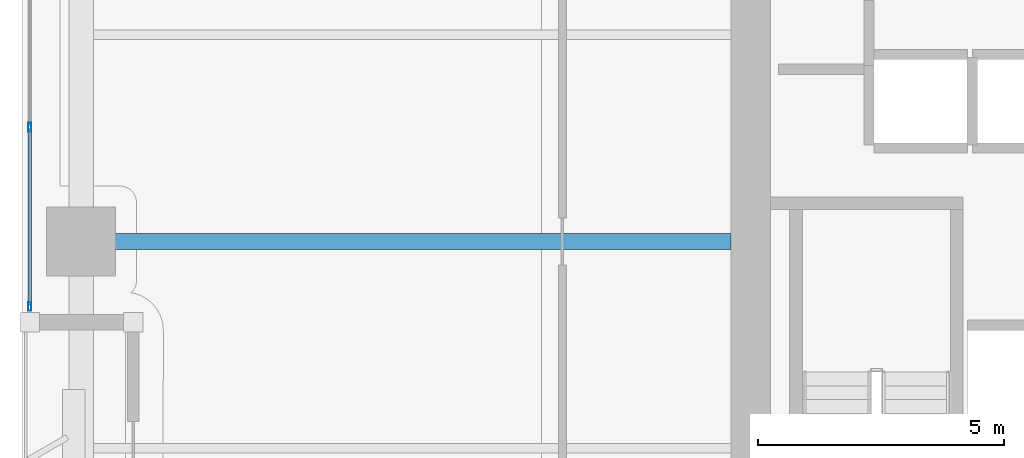
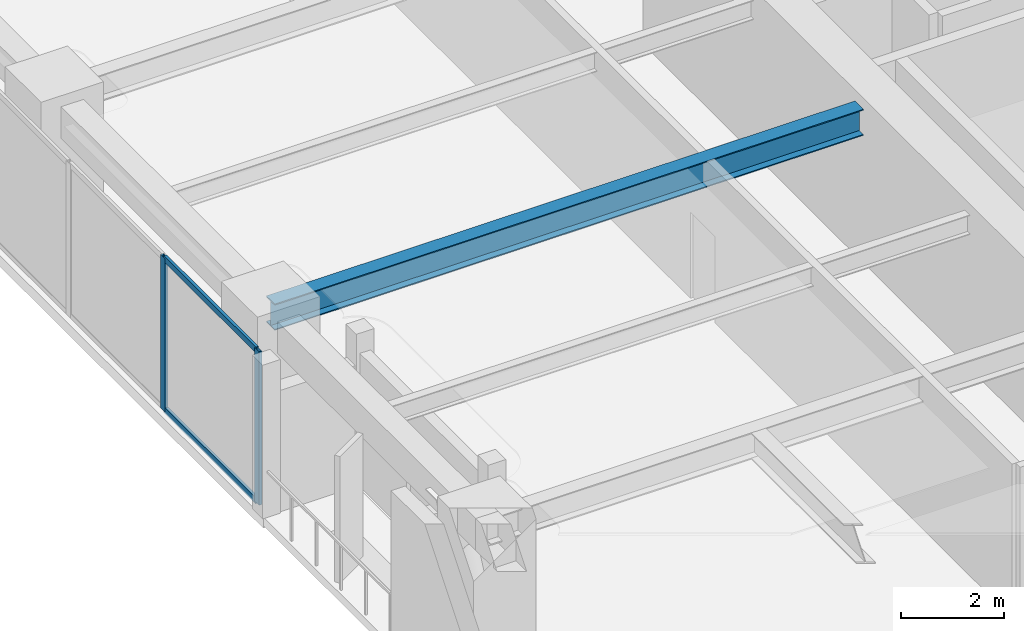
# One storey, part 2 of 24: 4 members, 1 beam, 1 element without a shape of its own.
"""IFC4 building model written with IfcOpenShell, lengths in metres."""

from ifc_helpers import new_model, si_unit, direction, frame, origin, origin_2d, place, context, subcontext, project, spatial, hollow_rectangle, i_section, extrude, material, layer, layer_set, material_profile, profile_set, type_object, element, aggregate, save


model = new_model("IFC4")

# Units and contexts
model_context = context("Model", 3, precision=1e-05, world=origin(), true_north=direction((0.0, 1.0)))
body_context = subcontext(model_context, "Body", "Model", "MODEL_VIEW")
ifc_project = project(units=[si_unit("LENGTHUNIT", "METRE"), si_unit("AREAUNIT", "SQUARE_METRE"), si_unit("VOLUMEUNIT", "CUBIC_METRE"), si_unit("PLANEANGLEUNIT", "RADIAN"), si_unit("MASSUNIT", "GRAM", prefix="KILO")], contexts=[model_context])

# Site, building, storey
site_placement = place(None, origin())
site = spatial("IfcSite", under=ifc_project, at=site_placement, CompositionType="ELEMENT")
building_placement = place(site_placement, origin())
building = spatial("IfcBuilding", under=site, at=building_placement, Name="Kiyonajd Concourse Tower", CompositionType="ELEMENT")
storey_placement = place(building_placement, frame((0.0, 0.0, 101.39990234375)))
storey = spatial("IfcBuildingStorey", under=building, at=storey_placement, Name="L26", CompositionType="ELEMENT", Elevation=101.39990234375)

# Beam
ifc_material_1 = material(Name="Steel ASTM A992 Grade 50", Category="steel")
ifc_material_profile_1 = material_profile(ifc_material_1, i_section(OverallWidth=0.326904296875, OverallDepth=0.6220703125, WebThickness=0.015380859375, FlangeThickness=0.0244140625, at=origin_2d()), Name="W610X195")
ifc_profile_set_1 = profile_set([ifc_material_profile_1], Name="Steel ASTM A992 Grade 50")
beam_type = type_object("IfcBeamType", Name="BM-TWR-610A", PredefinedType="BEAM", material=ifc_profile_set_1)
beam_placement = place(storey_placement, frame((19.199951171875, 36.0, 3.3291015625), z_axis=(1.0, 0.0, 0.0), x_axis=(0.0, 1.0, 0.0)))
element("IfcBeam", 1, at=beam_placement, inside=storey, type_object=beam_type, Name="L26 West Lease Girder", PredefinedType="BEAM", context=body_context, shape_type="SweptSolid", body=[
    extrude(i_section(OverallWidth=0.326904296875, OverallDepth=0.6220703125, WebThickness=0.015380859375, FlangeThickness=0.0244140625, at=origin_2d()), origin(), (0.0, 0.0, 1.0), 13.199951171875),
])

# Curtain wall, members
ifc_material_2 = material(Name="Thermally Broken Anodised Aluminium", Category="aluminium")
ifc_layer = layer(ifc_material_2, 0.179931640625)
ifc_layer_set = layer_set([ifc_layer], Name="Thermally Broken Anodised Aluminium")
curtain_wall_type = type_object("IfcCurtainWallType", Name="CW-SYS-03", PredefinedType="NOTDEFINED", material=ifc_layer_set)
curtain_wall_placement = place(storey_placement, origin())
curtain_wall = element("IfcCurtainWall", 2, at=curtain_wall_placement, inside=storey, type_object=curtain_wall_type, Name="L26 Unitised Curtain Wall CW3", PredefinedType="NOTDEFINED")
ifc_material_profile_2 = material_profile(ifc_material_2, hollow_rectangle(XDim=0.06494140625, YDim=0.179931640625, WallThickness=0.00390625, at=origin_2d()), Name="MULL-65x180")
ifc_profile_set_2 = profile_set([ifc_material_profile_2], Name="Thermally Broken Anodised Aluminium")
member_type_1 = type_object("IfcMemberType", Name="MB-CW-MULL1", PredefinedType="MULLION", material=ifc_profile_set_2)
member_1_placement = place(storey_placement, frame((18.159912109375, 34.6826171875, 0.0), z_axis=(0.0, 0.0, 1.0), x_axis=(-1.0, 0.0, 0.0)))
member_1 = element("IfcMember", 3, at=member_1_placement, type_object=member_type_1, Name="CW3 mullion 1", PredefinedType="MULLION", context=body_context, shape_type="SweptSolid", body=[
    extrude(hollow_rectangle(XDim=0.06494140625, YDim=0.179931640625, WallThickness=0.00390625, at=origin_2d()), origin(), (0.0, 0.0, 1.0), 3.64013671875),
])
member_2_placement = place(storey_placement, frame((18.159912109375, 38.3232421875, 0.0), z_axis=(0.0, 0.0, 1.0), x_axis=(-1.0, 0.0, 0.0)))
member_2 = element("IfcMember", 4, at=member_2_placement, type_object=member_type_1, Name="CW3 mullion 2", PredefinedType="MULLION", context=body_context, shape_type="SweptSolid", body=[
    extrude(hollow_rectangle(XDim=0.06494140625, YDim=0.179931640625, WallThickness=0.00390625, at=origin_2d()), origin(), (0.0, 0.0, 1.0), 3.64013671875),
])
ifc_material_profile_3 = material_profile(ifc_material_2, hollow_rectangle(XDim=0.06494140625, YDim=0.139892578125, WallThickness=0.00390625, at=origin_2d()), Name="TRAN-65x140")
ifc_profile_set_3 = profile_set([ifc_material_profile_3], Name="Thermally Broken Anodised Aluminium")
member_type_2 = type_object("IfcMemberType", Name="MB-CW-TRAN1", PredefinedType="USERDEFINED", material=ifc_profile_set_3)
member_3_placement = place(storey_placement, frame((18.159912109375, 34.715087890625, 0.03271484375), z_axis=(0.0, 1.0, 0.0), x_axis=(-1.0, 0.0, 0.0)))
member_3 = element("IfcMember", 5, at=member_3_placement, type_object=member_type_2, Name="CW3 transom 1.1", ObjectType="TRANSOM", PredefinedType="USERDEFINED", context=body_context, shape_type="SweptSolid", body=[
    extrude(hollow_rectangle(XDim=0.06494140625, YDim=0.139892578125, WallThickness=0.00390625, at=origin_2d()), origin(), (0.0, 0.0, 1.0), 3.57568359375),
])
member_4_placement = place(storey_placement, frame((18.159912109375, 34.715087890625, 3.607666015625), z_axis=(0.0, 1.0, 0.0), x_axis=(-1.0, 0.0, 0.0)))
member_4 = element("IfcMember", 6, at=member_4_placement, type_object=member_type_2, Name="CW3 transom 1.2", ObjectType="TRANSOM", PredefinedType="USERDEFINED", context=body_context, shape_type="SweptSolid", body=[
    extrude(hollow_rectangle(XDim=0.06494140625, YDim=0.139892578125, WallThickness=0.00390625, at=origin_2d()), origin(), (0.0, 0.0, 1.0), 3.57568359375),
])
aggregate(curtain_wall, [member_1, member_2, member_3, member_4])

save(model, "model.ifc")
